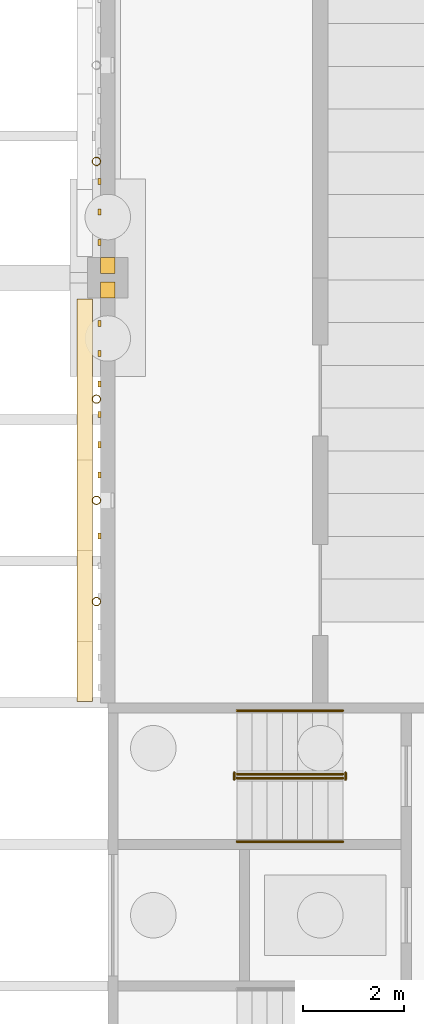
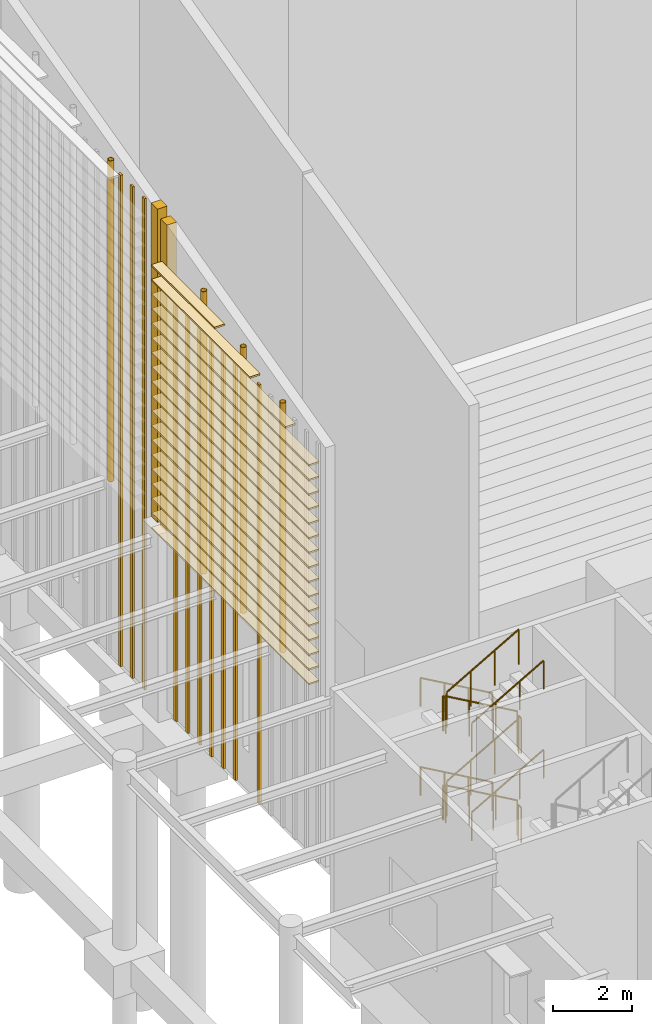
# One storey, part 63 of 82: 21 coverings, 14 shading devices, 12 railings.
"""IFC4 building model written with IfcOpenShell, lengths in metres."""

from ifc_helpers import new_model, si_unit, direction, frame, origin, origin_2d, place, context, subcontext, project, spatial, rectangle, circle, hollow_circle, extrude, material, layer, layer_set, material_profile, profile_set, type_object, element, save


model = new_model("IFC4")

# Units and contexts
model_context = context("Model", 3, precision=1e-05, world=origin(), true_north=direction((0.0, 1.0)))
body_context = subcontext(model_context, "Body", "Model", "MODEL_VIEW")
ifc_project = project(units=[si_unit("LENGTHUNIT", "METRE"), si_unit("AREAUNIT", "SQUARE_METRE"), si_unit("VOLUMEUNIT", "CUBIC_METRE"), si_unit("PLANEANGLEUNIT", "RADIAN"), si_unit("MASSUNIT", "GRAM", prefix="KILO")], contexts=[model_context])

# Site, building, storey
site_placement = place(None, origin())
site = spatial("IfcSite", under=ifc_project, at=site_placement, CompositionType="ELEMENT")
building_placement = place(site_placement, origin())
building = spatial("IfcBuilding", under=site, at=building_placement, Name="Almond Square Museum", CompositionType="ELEMENT")
storey_placement = place(building_placement, origin())
storey = spatial("IfcBuildingStorey", under=building, at=storey_placement, Name="L00", CompositionType="ELEMENT", Elevation=0.0)

# Shading devices
ifc_material_1 = material(Name="Structural steel S355", Category="steel")
ifc_material_profile_1 = material_profile(ifc_material_1, hollow_circle(Radius=0.084228515625, WallThickness=0.008056640625, at=origin_2d()))
ifc_profile_set_1 = profile_set([ifc_material_profile_1], Name="Structural steel S355")
shading_device_type_1 = type_object("IfcShadingDeviceType", Name="Louvre post CHS 168.3 x 8", PredefinedType="USERDEFINED", material=ifc_profile_set_1)
shading_device_1_placement = place(storey_placement, frame((5.77587890625, 94.699951171875, 5.5), z_axis=(0.0, 0.0, 1.0), x_axis=(1.0, 0.0, 0.0)))
element("IfcShadingDevice", 1, at=shading_device_1_placement, inside=storey, type_object=shading_device_type_1, Name="Louvre screen post", ObjectType="POST", PredefinedType="USERDEFINED", context=body_context, shape_type="SweptSolid", body=[
    extrude(hollow_circle(Radius=0.084228515625, WallThickness=0.008056640625, at=origin_2d()), origin(), (0.0, 0.0, 1.0), 9.90087890625),
])
shading_device_2_placement = place(storey_placement, frame((5.77587890625, 86.0, 5.5), z_axis=(0.0, 0.0, 1.0), x_axis=(1.0, 0.0, 0.0)))
element("IfcShadingDevice", 2, at=shading_device_2_placement, inside=storey, type_object=shading_device_type_1, Name="Louvre screen post", ObjectType="POST", PredefinedType="USERDEFINED", context=body_context, shape_type="SweptSolid", body=[
    extrude(hollow_circle(Radius=0.084228515625, WallThickness=0.008056640625, at=origin_2d()), origin(), (0.0, 0.0, 1.0), 7.699951171875),
])
shading_device_3_placement = place(storey_placement, frame((5.77587890625, 88.0, 5.5), z_axis=(0.0, 0.0, 1.0), x_axis=(1.0, 0.0, 0.0)))
element("IfcShadingDevice", 3, at=shading_device_3_placement, inside=storey, type_object=shading_device_type_1, Name="Louvre screen post", ObjectType="POST", PredefinedType="USERDEFINED", context=body_context, shape_type="SweptSolid", body=[
    extrude(hollow_circle(Radius=0.084228515625, WallThickness=0.008056640625, at=origin_2d()), origin(), (0.0, 0.0, 1.0), 8.2060546875),
])
shading_device_4_placement = place(storey_placement, frame((5.77587890625, 90.0, 5.5), z_axis=(0.0, 0.0, 1.0), x_axis=(1.0, 0.0, 0.0)))
element("IfcShadingDevice", 4, at=shading_device_4_placement, inside=storey, type_object=shading_device_type_1, Name="Louvre screen post", ObjectType="POST", PredefinedType="USERDEFINED", context=body_context, shape_type="SweptSolid", body=[
    extrude(hollow_circle(Radius=0.084228515625, WallThickness=0.008056640625, at=origin_2d()), origin(), (0.0, 0.0, 1.0), 8.7119140625),
])

# Coverings
ifc_material_2 = material(Name="Cedar timber louvre board", Category="wood")
ifc_material_profile_2 = material_profile(ifc_material_2, rectangle(XDim=0.300048828125, YDim=0.050048828125, at=origin_2d()))
ifc_profile_set_2 = profile_set([ifc_material_profile_2], Name="Cedar timber louvre board")
covering_type_1 = type_object("IfcCoveringType", Name="Louvre screen board 300 x 50", PredefinedType="CLADDING", material=ifc_profile_set_2)
for number, where, z_axis, x_axis, name in (
    (5, (5.545654296875, 84.02001953125, 5.800048828125), (0.0, 1.0, 0.0), (-1.0, 0.0, 0.0), "Louvre screen board"),
    (6, (5.545654296875, 84.02001953125, 6.25), (0.0, 1.0, 0.0), (-1.0, 0.0, 0.0), "Louvre screen board"),
    (7, (5.545654296875, 84.02001953125, 6.699951171875), (0.0, 1.0, 0.0), (-1.0, 0.0, 0.0), "Louvre screen board"),
    (8, (5.545654296875, 84.02001953125, 7.14990234375), (0.0, 1.0, 0.0), (-1.0, 0.0, 0.0), "Louvre screen board"),
    (9, (5.545654296875, 84.02001953125, 7.60009765625), (0.0, 1.0, 0.0), (-1.0, 0.0, 0.0), "Louvre screen board"),
    (10, (5.545654296875, 84.02001953125, 8.050048828125), (0.0, 1.0, 0.0), (-1.0, 0.0, 0.0), "Louvre screen board"),
    (11, (5.545654296875, 84.02001953125, 8.5), (0.0, 1.0, 0.0), (-1.0, 0.0, 0.0), "Louvre screen board"),
    (12, (5.545654296875, 84.02001953125, 8.949951171875), (0.0, 1.0, 0.0), (-1.0, 0.0, 0.0), "Louvre screen board"),
    (13, (5.545654296875, 84.02001953125, 9.39990234375), (0.0, 1.0, 0.0), (-1.0, 0.0, 0.0), "Louvre screen board"),
    (14, (5.545654296875, 84.02001953125, 9.85009765625), (0.0, 1.0, 0.0), (-1.0, 0.0, 0.0), "Louvre screen board"),
    (15, (5.545654296875, 84.02001953125, 10.300048828125), (0.0, 1.0, 0.0), (-1.0, 0.0, 0.0), "Louvre screen board"),
    (16, (5.545654296875, 84.02001953125, 10.75), (0.0, 1.0, 0.0), (-1.0, 0.0, 0.0), "Louvre screen board"),
    (17, (5.545654296875, 84.02001953125, 11.199951171875), (0.0, 1.0, 0.0), (-1.0, 0.0, 0.0), "Louvre screen board"),
    (18, (5.545654296875, 84.02001953125, 11.64990234375), (0.0, 1.0, 0.0), (-1.0, 0.0, 0.0), "Louvre screen board"),
    (19, (5.545654296875, 84.02001953125, 12.10009765625), (0.0, 1.0, 0.0), (-1.0, 0.0, 0.0), "Louvre screen board"),
    (20, (5.545654296875, 84.02001953125, 12.550048828125), (0.0, 1.0, 0.0), (-1.0, 0.0, 0.0), "Louvre screen board"),
):
    element("IfcCovering", number, at=place(storey_placement, frame(where, z_axis=z_axis, x_axis=x_axis)), inside=storey, type_object=covering_type_1, Name=name, PredefinedType="CLADDING", context=body_context, shape_type="SweptSolid", body=[
        extrude(rectangle(XDim=0.300048828125, YDim=0.050048828125, at=origin_2d()), origin(), (0.0, 0.0, 1.0), 7.9599609375),
    ])
covering_1_placement = place(storey_placement, frame((5.545654296875, 85.214111328125, 13.0), z_axis=(0.0, 1.0, 0.0), x_axis=(-1.0, 0.0, 0.0)))
element("IfcCovering", 21, at=covering_1_placement, inside=storey, type_object=covering_type_1, Name="Louvre screen board", PredefinedType="CLADDING", context=body_context, shape_type="SweptSolid", body=[
    extrude(rectangle(XDim=0.300048828125, YDim=0.050048828125, at=origin_2d()), origin(), (0.0, 0.0, 1.0), 6.765869140625),
])
covering_2_placement = place(storey_placement, frame((5.545654296875, 87.0048828125, 13.449951171875), z_axis=(0.0, 1.0, 0.0), x_axis=(-1.0, 0.0, 0.0)))
element("IfcCovering", 22, at=covering_2_placement, inside=storey, type_object=covering_type_1, Name="Louvre screen board", PredefinedType="CLADDING", context=body_context, shape_type="SweptSolid", body=[
    extrude(rectangle(XDim=0.300048828125, YDim=0.050048828125, at=origin_2d()), origin(), (0.0, 0.0, 1.0), 4.97509765625),
])
covering_3_placement = place(storey_placement, frame((5.545654296875, 88.7958984375, 13.89990234375), z_axis=(0.0, 1.0, 0.0), x_axis=(-1.0, 0.0, 0.0)))
element("IfcCovering", 23, at=covering_3_placement, inside=storey, type_object=covering_type_1, Name="Louvre screen board", PredefinedType="CLADDING", context=body_context, shape_type="SweptSolid", body=[
    extrude(rectangle(XDim=0.300048828125, YDim=0.050048828125, at=origin_2d()), origin(), (0.0, 0.0, 1.0), 3.18408203125),
])

# Railings
ifc_material_3 = material(Name="Stainless steel and laminated glass", Category="steel")
railing_type_1 = type_object("IfcRailingType", Name="Stair guard 1100 steel and glass", PredefinedType="GUARDRAIL", material=ifc_material_3)
railing_1_placement = place(storey_placement, frame((10.64990234375, 82.590087890625, 0.171875)))
element("IfcRailing", 24, at=railing_1_placement, inside=storey, type_object=railing_type_1, Name="L00 ST-14 stair guard 1", PredefinedType="GUARDRAIL", context=body_context, shape_type="SweptSolid", body=[
    extrude(circle(Radius=0.02392578125, at=origin_2d()), frame((0.0, 0.0, 1.076171875), z_axis=(-0.867671429157, 0.0, 0.497138100556), x_axis=(0.0, -1.0, 0.0)), (0.0, 0.0, 1.0), 2.420166015625),
    extrude(circle(Radius=0.02099609375, at=origin_2d()), origin(), (0.0, 0.0, 1.0), 1.052001953125),
    extrude(circle(Radius=0.02099609375, at=origin_2d()), frame((-0.699951171875, 0.0, 0.401123046875)), (0.0, 0.0, 1.0), 1.052001953125),
    extrude(circle(Radius=0.02099609375, at=origin_2d()), frame((-1.39990234375, 0.0, 0.802001953125)), (0.0, 0.0, 1.0), 1.052001953125),
    extrude(circle(Radius=0.02099609375, at=origin_2d()), frame((-2.099853515625, 0.0, 1.203125)), (0.0, 0.0, 1.0), 1.052001953125),
])
railing_2_placement = place(storey_placement, frame((8.5, 82.6201171875, 1.375)))
element("IfcRailing", 25, at=railing_2_placement, inside=storey, type_object=railing_type_1, Name="L00 ST-14 stair guard 2", PredefinedType="GUARDRAIL", context=body_context, shape_type="SweptSolid", body=[
    extrude(circle(Radius=0.02392578125, at=origin_2d()), frame((0.0, 0.0, 1.076171875), z_axis=(0.0, -1.0, 0.0), x_axis=(1.0, 0.0, 0.0)), (0.0, 0.0, 1.0), 0.14013671875),
    extrude(circle(Radius=0.02099609375, at=origin_2d()), origin(), (0.0, 0.0, 1.0), 1.052001953125),
    extrude(circle(Radius=0.02099609375, at=origin_2d()), frame((0.0, -0.14013671875, 0.0)), (0.0, 0.0, 1.0), 1.052001953125),
])
railing_3_placement = place(storey_placement, frame((8.550048828125, 82.510009765625, 1.546875)))
element("IfcRailing", 26, at=railing_3_placement, inside=storey, type_object=railing_type_1, Name="L00 ST-14 stair guard 3", PredefinedType="GUARDRAIL", context=body_context, shape_type="SweptSolid", body=[
    extrude(circle(Radius=0.02392578125, at=origin_2d()), frame((0.0, 0.0, 1.076171875), z_axis=(0.867671429157, 0.0, 0.497138100556), x_axis=(0.0, 1.0, 0.0)), (0.0, 0.0, 1.0), 2.420166015625),
    extrude(circle(Radius=0.02099609375, at=origin_2d()), origin(), (0.0, 0.0, 1.0), 1.052001953125),
    extrude(circle(Radius=0.02099609375, at=origin_2d()), frame((0.699951171875, 0.0, 0.401123046875)), (0.0, 0.0, 1.0), 1.052001953125),
    extrude(circle(Radius=0.02099609375, at=origin_2d()), frame((1.39990234375, 0.0, 0.802001953125)), (0.0, 0.0, 1.0), 1.052001953125),
    extrude(circle(Radius=0.02099609375, at=origin_2d()), frame((2.099853515625, 0.0, 1.203125)), (0.0, 0.0, 1.0), 1.052001953125),
])
railing_4_placement = place(storey_placement, frame((10.699951171875, 82.6201171875, 2.75)))
element("IfcRailing", 27, at=railing_4_placement, inside=storey, type_object=railing_type_1, Name="L00 ST-14 stair guard 4", PredefinedType="GUARDRAIL", context=body_context, shape_type="SweptSolid", body=[
    extrude(circle(Radius=0.02392578125, at=origin_2d()), frame((0.0, 0.0, 1.076171875), z_axis=(0.0, -1.0, 0.0), x_axis=(1.0, 0.0, 0.0)), (0.0, 0.0, 1.0), 0.14013671875),
    extrude(circle(Radius=0.02099609375, at=origin_2d()), origin(), (0.0, 0.0, 1.0), 1.052001953125),
    extrude(circle(Radius=0.02099609375, at=origin_2d()), frame((0.0, -0.14013671875, 0.0)), (0.0, 0.0, 1.0), 1.052001953125),
])
railing_5_placement = place(storey_placement, frame((10.64990234375, 82.590087890625, 2.921875)))
element("IfcRailing", 28, at=railing_5_placement, inside=storey, type_object=railing_type_1, Name="L00 ST-14 stair guard 5", PredefinedType="GUARDRAIL", context=body_context, shape_type="SweptSolid", body=[
    extrude(circle(Radius=0.02392578125, at=origin_2d()), frame((0.0, 0.0, 1.076171875), z_axis=(-0.867671429157, 0.0, 0.497138100556), x_axis=(0.0, -1.0, 0.0)), (0.0, 0.0, 1.0), 2.420166015625),
    extrude(circle(Radius=0.02099609375, at=origin_2d()), origin(), (0.0, 0.0, 1.0), 1.052001953125),
    extrude(circle(Radius=0.02099609375, at=origin_2d()), frame((-0.699951171875, 0.0, 0.401123046875)), (0.0, 0.0, 1.0), 1.052001953125),
    extrude(circle(Radius=0.02099609375, at=origin_2d()), frame((-1.39990234375, 0.0, 0.802001953125)), (0.0, 0.0, 1.0), 1.052001953125),
    extrude(circle(Radius=0.02099609375, at=origin_2d()), frame((-2.099853515625, 0.0, 1.203125)), (0.0, 0.0, 1.0), 1.052001953125),
])
railing_6_placement = place(storey_placement, frame((8.5, 82.6201171875, 4.125)))
element("IfcRailing", 29, at=railing_6_placement, inside=storey, type_object=railing_type_1, Name="L00 ST-14 stair guard 6", PredefinedType="GUARDRAIL", context=body_context, shape_type="SweptSolid", body=[
    extrude(circle(Radius=0.02392578125, at=origin_2d()), frame((0.0, 0.0, 1.076171875), z_axis=(0.0, -1.0, 0.0), x_axis=(1.0, 0.0, 0.0)), (0.0, 0.0, 1.0), 0.14013671875),
    extrude(circle(Radius=0.02099609375, at=origin_2d()), origin(), (0.0, 0.0, 1.0), 1.052001953125),
    extrude(circle(Radius=0.02099609375, at=origin_2d()), frame((0.0, -0.14013671875, 0.0)), (0.0, 0.0, 1.0), 1.052001953125),
])
railing_7_placement = place(storey_placement, frame((8.550048828125, 82.510009765625, 4.296875)))
element("IfcRailing", 30, at=railing_7_placement, inside=storey, type_object=railing_type_1, Name="L00 ST-14 stair guard 7", PredefinedType="GUARDRAIL", context=body_context, shape_type="SweptSolid", body=[
    extrude(circle(Radius=0.02392578125, at=origin_2d()), frame((0.0, 0.0, 1.076171875), z_axis=(0.867671429157, 0.0, 0.497138100556), x_axis=(0.0, 1.0, 0.0)), (0.0, 0.0, 1.0), 2.420166015625),
    extrude(circle(Radius=0.02099609375, at=origin_2d()), origin(), (0.0, 0.0, 1.0), 1.052001953125),
    extrude(circle(Radius=0.02099609375, at=origin_2d()), frame((0.699951171875, 0.0, 0.401123046875)), (0.0, 0.0, 1.0), 1.052001953125),
    extrude(circle(Radius=0.02099609375, at=origin_2d()), frame((1.39990234375, 0.0, 0.802001953125)), (0.0, 0.0, 1.0), 1.052001953125),
    extrude(circle(Radius=0.02099609375, at=origin_2d()), frame((2.099853515625, 0.0, 1.203125)), (0.0, 0.0, 1.0), 1.052001953125),
])
railing_8_placement = place(storey_placement, frame((10.699951171875, 82.6201171875, 0.0)))
element("IfcRailing", 31, at=railing_8_placement, inside=storey, type_object=railing_type_1, Name="L00 ST-14 stair guard 8", PredefinedType="GUARDRAIL", context=body_context, shape_type="SweptSolid", body=[
    extrude(circle(Radius=0.02392578125, at=origin_2d()), frame((0.0, 0.0, 1.076171875), z_axis=(0.0, -1.0, 0.0), x_axis=(1.0, 0.0, 0.0)), (0.0, 0.0, 1.0), 0.14013671875),
    extrude(circle(Radius=0.02099609375, at=origin_2d()), origin(), (0.0, 0.0, 1.0), 1.052001953125),
    extrude(circle(Radius=0.02099609375, at=origin_2d()), frame((0.0, -0.14013671875, 0.0)), (0.0, 0.0, 1.0), 1.052001953125),
])
ifc_material_4 = material(Name="Stainless steel", Category="steel")
railing_type_2 = type_object("IfcRailingType", Name="Stair handrail 900 steel", PredefinedType="HANDRAIL", material=ifc_material_4)
railing_9_placement = place(storey_placement, frame((10.64990234375, 83.844970703125, 0.171875)))
element("IfcRailing", 32, at=railing_9_placement, inside=storey, type_object=railing_type_2, Name="L00 ST-14 stair handrail 1", PredefinedType="HANDRAIL", context=body_context, shape_type="SweptSolid", body=[
    extrude(circle(Radius=0.02392578125, at=origin_2d()), frame((0.0, 0.0, 0.8759765625), z_axis=(-0.867671429157, 0.0, 0.497138100556), x_axis=(0.0, -1.0, 0.0)), (0.0, 0.0, 1.0), 2.420166015625),
    extrude(circle(Radius=0.02099609375, at=origin_2d()), origin(), (0.0, 0.0, 1.0), 0.851806640625),
    extrude(circle(Radius=0.02099609375, at=origin_2d()), frame((-0.699951171875, 0.0, 0.401123046875)), (0.0, 0.0, 1.0), 0.851806640625),
    extrude(circle(Radius=0.02099609375, at=origin_2d()), frame((-1.39990234375, 0.0, 0.802001953125)), (0.0, 0.0, 1.0), 0.851806640625),
    extrude(circle(Radius=0.02099609375, at=origin_2d()), frame((-2.099853515625, 0.0, 1.203125)), (0.0, 0.0, 1.0), 0.851806640625),
])
railing_10_placement = place(storey_placement, frame((8.550048828125, 81.2548828125, 1.546875)))
element("IfcRailing", 33, at=railing_10_placement, inside=storey, type_object=railing_type_2, Name="L00 ST-14 stair handrail 2", PredefinedType="HANDRAIL", context=body_context, shape_type="SweptSolid", body=[
    extrude(circle(Radius=0.02392578125, at=origin_2d()), frame((0.0, 0.0, 0.8759765625), z_axis=(0.867671429157, 0.0, 0.497138100556), x_axis=(0.0, 1.0, 0.0)), (0.0, 0.0, 1.0), 2.420166015625),
    extrude(circle(Radius=0.02099609375, at=origin_2d()), origin(), (0.0, 0.0, 1.0), 0.851806640625),
    extrude(circle(Radius=0.02099609375, at=origin_2d()), frame((0.699951171875, 0.0, 0.401123046875)), (0.0, 0.0, 1.0), 0.851806640625),
    extrude(circle(Radius=0.02099609375, at=origin_2d()), frame((1.39990234375, 0.0, 0.802001953125)), (0.0, 0.0, 1.0), 0.851806640625),
    extrude(circle(Radius=0.02099609375, at=origin_2d()), frame((2.099853515625, 0.0, 1.203125)), (0.0, 0.0, 1.0), 0.851806640625),
])
railing_11_placement = place(storey_placement, frame((10.64990234375, 83.844970703125, 2.921875)))
element("IfcRailing", 34, at=railing_11_placement, inside=storey, type_object=railing_type_2, Name="L00 ST-14 stair handrail 3", PredefinedType="HANDRAIL", context=body_context, shape_type="SweptSolid", body=[
    extrude(circle(Radius=0.02392578125, at=origin_2d()), frame((0.0, 0.0, 0.8759765625), z_axis=(-0.867671429157, 0.0, 0.497138100556), x_axis=(0.0, -1.0, 0.0)), (0.0, 0.0, 1.0), 2.420166015625),
    extrude(circle(Radius=0.02099609375, at=origin_2d()), origin(), (0.0, 0.0, 1.0), 0.851806640625),
    extrude(circle(Radius=0.02099609375, at=origin_2d()), frame((-0.699951171875, 0.0, 0.401123046875)), (0.0, 0.0, 1.0), 0.851806640625),
    extrude(circle(Radius=0.02099609375, at=origin_2d()), frame((-1.39990234375, 0.0, 0.802001953125)), (0.0, 0.0, 1.0), 0.851806640625),
    extrude(circle(Radius=0.02099609375, at=origin_2d()), frame((-2.099853515625, 0.0, 1.203125)), (0.0, 0.0, 1.0), 0.851806640625),
])
railing_12_placement = place(storey_placement, frame((8.550048828125, 81.2548828125, 4.296875)))
element("IfcRailing", 35, at=railing_12_placement, inside=storey, type_object=railing_type_2, Name="L00 ST-14 stair handrail 4", PredefinedType="HANDRAIL", context=body_context, shape_type="SweptSolid", body=[
    extrude(circle(Radius=0.02392578125, at=origin_2d()), frame((0.0, 0.0, 0.8759765625), z_axis=(0.867671429157, 0.0, 0.497138100556), x_axis=(0.0, 1.0, 0.0)), (0.0, 0.0, 1.0), 2.420166015625),
    extrude(circle(Radius=0.02099609375, at=origin_2d()), origin(), (0.0, 0.0, 1.0), 0.851806640625),
    extrude(circle(Radius=0.02099609375, at=origin_2d()), frame((0.699951171875, 0.0, 0.401123046875)), (0.0, 0.0, 1.0), 0.851806640625),
    extrude(circle(Radius=0.02099609375, at=origin_2d()), frame((1.39990234375, 0.0, 0.802001953125)), (0.0, 0.0, 1.0), 0.851806640625),
    extrude(circle(Radius=0.02099609375, at=origin_2d()), frame((2.099853515625, 0.0, 1.203125)), (0.0, 0.0, 1.0), 0.851806640625),
])

# Shading devices
ifc_material_5 = material(Name="Cedar timber batten", Category="wood")
ifc_material_profile_3 = material_profile(ifc_material_5, rectangle(XDim=0.06005859375, YDim=0.1201171875, at=origin_2d()))
ifc_profile_set_3 = profile_set([ifc_material_profile_3], Name="Cedar timber batten")
shading_device_type_2 = type_object("IfcShadingDeviceType", Name="Vertical timber batten 60 x 120", PredefinedType="USERDEFINED", material=ifc_profile_set_3)
for number, where, z_axis, x_axis, name in (
    (36, (5.83203125, 93.10009765625, 0.0), (0.0, 0.0, 1.0), (-1.0, 0.0, 0.0), "Timber batten"),
    (37, (5.83203125, 93.699951171875, 0.0), (0.0, 0.0, 1.0), (-1.0, 0.0, 0.0), "Timber batten"),
    (38, (5.83203125, 94.300048828125, 0.0), (0.0, 0.0, 1.0), (-1.0, 0.0, 0.0), "Timber batten"),
):
    element("IfcShadingDevice", number, at=place(storey_placement, frame(where, z_axis=z_axis, x_axis=x_axis)), inside=storey, type_object=shading_device_type_2, Name=name, ObjectType="FIN", PredefinedType="USERDEFINED", context=body_context, shape_type="SweptSolid", body=[
        extrude(rectangle(XDim=0.06005859375, YDim=0.1201171875, at=origin_2d()), origin(), (0.0, 0.0, 1.0), 15.170166015625),
    ])
for number, where, z_axis, x_axis, name in (
    (39, (5.83203125, 87.300048828125, 0.0), (0.0, 0.0, 1.0), (-1.0, 0.0, 0.0), "Timber batten"),
    (40, (5.83203125, 88.5, 0.0), (0.0, 0.0, 1.0), (-1.0, 0.0, 0.0), "Timber batten"),
    (41, (5.83203125, 89.10009765625, 0.0), (0.0, 0.0, 1.0), (-1.0, 0.0, 0.0), "Timber batten"),
    (42, (5.83203125, 89.699951171875, 0.0), (0.0, 0.0, 1.0), (-1.0, 0.0, 0.0), "Timber batten"),
    (43, (5.83203125, 90.300048828125, 0.0), (0.0, 0.0, 1.0), (-1.0, 0.0, 0.0), "Timber batten"),
    (44, (5.83203125, 90.89990234375, 0.0), (0.0, 0.0, 1.0), (-1.0, 0.0, 0.0), "Timber batten"),
    (45, (5.83203125, 91.5, 0.0), (0.0, 0.0, 1.0), (-1.0, 0.0, 0.0), "Timber batten"),
):
    element("IfcShadingDevice", number, at=place(storey_placement, frame(where, z_axis=z_axis, x_axis=x_axis)), inside=storey, type_object=shading_device_type_2, Name=name, ObjectType="FIN", PredefinedType="USERDEFINED", context=body_context, shape_type="SweptSolid", body=[
        extrude(rectangle(XDim=0.06005859375, YDim=0.1201171875, at=origin_2d()), origin(), (0.0, 0.0, 1.0), 12.944091796875),
    ])

# Coverings
ifc_material_6 = material(Name="Cladding panel to match the wall")
ifc_layer = layer(ifc_material_6, 0.050048828125)
ifc_layer_set = layer_set([ifc_layer], Name="Cladding panel to match the wall")
covering_type_2 = type_object("IfcCoveringType", Name="Wall end closure panel", PredefinedType="CLADDING", material=ifc_layer_set)
covering_4_placement = place(storey_placement, frame((6.0, 92.639892578125, 5.5), z_axis=(0.0, 0.0, 1.0), x_axis=(1.0, 0.0, 0.0)))
element("IfcCovering", 46, at=covering_4_placement, inside=storey, type_object=covering_type_2, Name="Wall end closure panel", PredefinedType="CLADDING", context=body_context, shape_type="SweptSolid", body=[
    extrude(rectangle(XDim=0.280029296875, YDim=0.320068359375, at=origin_2d()), origin(), (0.0, 0.0, 1.0), 9.67041015625),
])
covering_5_placement = place(storey_placement, frame((6.0, 92.159912109375, 5.5), z_axis=(0.0, 0.0, 1.0), x_axis=(1.0, 0.0, 0.0)))
element("IfcCovering", 47, at=covering_5_placement, inside=storey, type_object=covering_type_2, Name="Wall end closure panel", PredefinedType="CLADDING", context=body_context, shape_type="SweptSolid", body=[
    extrude(rectangle(XDim=0.280029296875, YDim=0.320068359375, at=origin_2d()), origin(), (0.0, 0.0, 1.0), 9.468017578125),
])

save(model, "model.ifc")
